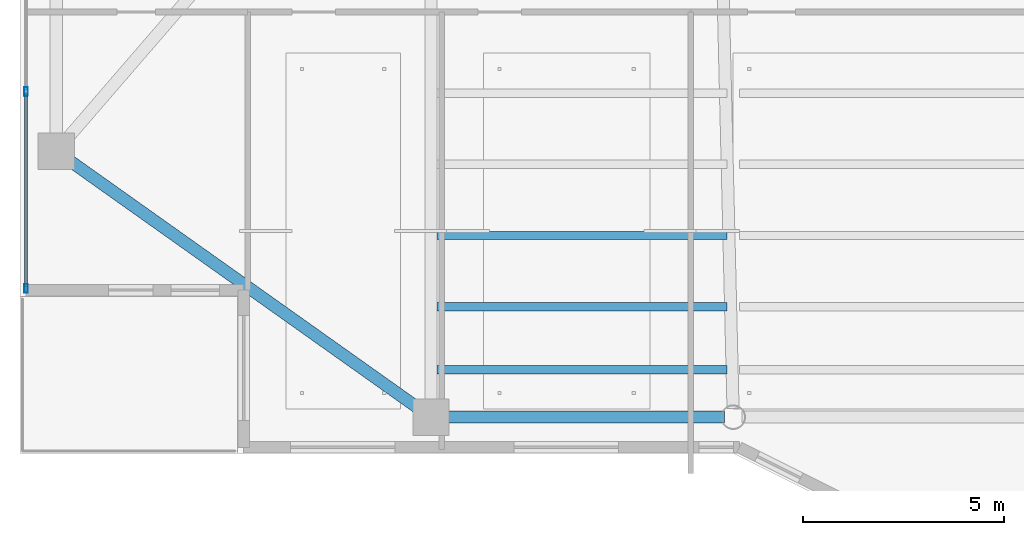
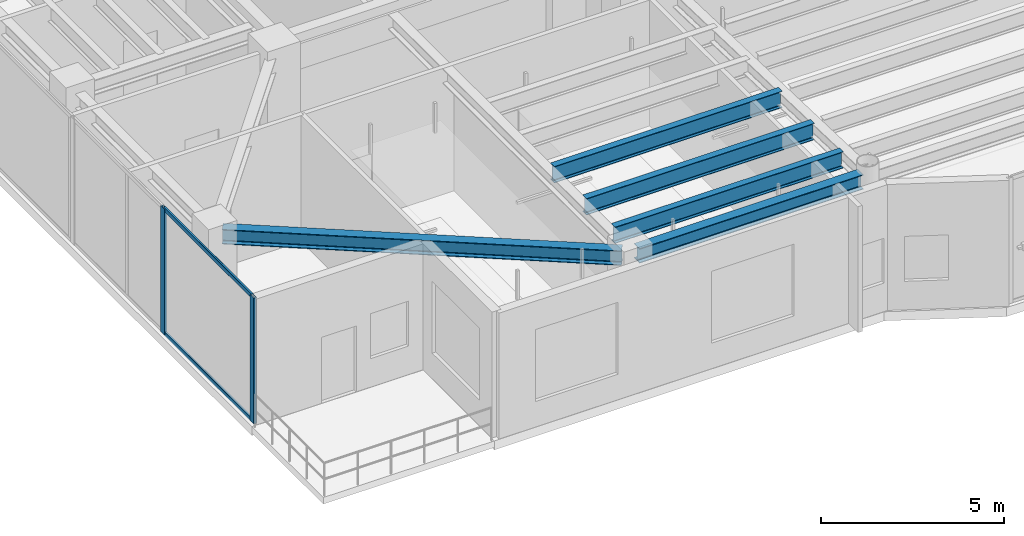
# One storey, part 2 of 33: 5 beams, 4 members, 1 element without a shape of its own.
"""IFC4 building model written with IfcOpenShell, lengths in metres."""

from ifc_helpers import new_model, si_unit, direction, frame, origin, origin_2d, place, context, subcontext, project, spatial, hollow_rectangle, i_section, extrude, material, layer, layer_set, material_profile, profile_set, type_object, element, aggregate, save


model = new_model("IFC4")

# Units and contexts
model_context = context("Model", 3, precision=1e-05, world=origin(), true_north=direction((0.0, 1.0)))
body_context = subcontext(model_context, "Body", "Model", "MODEL_VIEW")
ifc_project = project(units=[si_unit("LENGTHUNIT", "METRE"), si_unit("AREAUNIT", "SQUARE_METRE"), si_unit("VOLUMEUNIT", "CUBIC_METRE"), si_unit("PLANEANGLEUNIT", "RADIAN"), si_unit("MASSUNIT", "GRAM", prefix="KILO")], contexts=[model_context])

# Site, building, storey
site_placement = place(None, origin())
site = spatial("IfcSite", under=ifc_project, at=site_placement, CompositionType="ELEMENT")
building_placement = place(site_placement, origin())
building = spatial("IfcBuilding", under=site, at=building_placement, Name="Tarnavaz Court Tower", CompositionType="ELEMENT")
storey_placement = place(building_placement, frame((0.0, 0.0, 172.800048828125)))
storey = spatial("IfcBuildingStorey", under=building, at=storey_placement, Name="L47", CompositionType="ELEMENT", Elevation=172.800048828125)

# Beams
ifc_material_1 = material(Name="Steel S355", Category="steel")
ifc_material_profile_1 = material_profile(ifc_material_1, i_section(OverallWidth=0.2099609375, OverallDepth=0.550048828125, WebThickness=0.010986328125, FlangeThickness=0.01708984375, FilletRadius=0.02392578125, at=origin_2d()), Name="IPE 550")
ifc_profile_set_1 = profile_set([ifc_material_profile_1], Name="Steel S355")
beam_type_1 = type_object("IfcBeamType", Name="BM-J-IPE550", PredefinedType="JOIST", material=ifc_profile_set_1)
for number, where, z_axis, x_axis, name in (
    (1, (-14.85009765625, -15.89208984375, 3.925048828125), (1.0, 0.0, 0.0), (0.0, 1.0, 0.0), "L47 Beam JS3-1"),
    (2, (-14.85009765625, -17.656005859375, 3.925048828125), (1.0, 0.0, 0.0), (0.0, 1.0, 0.0), "L47 Beam JS4-1"),
    (3, (-14.85009765625, -19.22412109375, 3.925048828125), (1.0, 0.0, 0.0), (0.0, 1.0, 0.0), "L47 Beam JS5-1"),
):
    element("IfcBeam", number, at=place(storey_placement, frame(where, z_axis=z_axis, x_axis=x_axis)), inside=storey, type_object=beam_type_1, Name=name, PredefinedType="JOIST", context=body_context, shape_type="SweptSolid", body=[
        extrude(i_section(OverallWidth=0.2099609375, OverallDepth=0.550048828125, WebThickness=0.010986328125, FlangeThickness=0.01708984375, FilletRadius=0.02392578125, at=origin_2d()), origin(), (0.0, 0.0, 1.0), 7.2001953125),
    ])
ifc_material_profile_2 = material_profile(ifc_material_1, i_section(OverallWidth=0.300048828125, OverallDepth=0.489990234375, WebThickness=0.011962890625, FlangeThickness=0.02294921875, FilletRadius=0.027099609375, at=origin_2d()), Name="HEA 500")
ifc_profile_set_2 = profile_set([ifc_material_profile_2], Name="Steel S355")
beam_type_2 = type_object("IfcBeamType", Name="BM-SP-HEA500", PredefinedType="SPANDREL", material=ifc_profile_set_2)
beam_1_placement = place(storey_placement, frame((-14.780029296875, -20.39990234375, 3.954833984375), z_axis=(1.0, 0.0, 0.0), x_axis=(0.0, 1.0, 0.0)))
element("IfcBeam", 4, at=beam_1_placement, inside=storey, type_object=beam_type_2, Name="L47 Beam PR-PS-1-PS-2", PredefinedType="SPANDREL", context=body_context, shape_type="SweptSolid", body=[
    extrude(i_section(OverallWidth=0.300048828125, OverallDepth=0.489990234375, WebThickness=0.011962890625, FlangeThickness=0.02294921875, FilletRadius=0.027099609375, at=origin_2d()), origin(), (0.0, 0.0, 1.0), 7.06005859375),
])
beam_2_placement = place(storey_placement, frame((-15.179443359375, -20.272705078125, 3.954833984375), z_axis=(-0.815502059396, 0.57875417158, 0.0), x_axis=(-0.57875417158, -0.815502059396, 0.0)))
element("IfcBeam", 5, at=beam_2_placement, inside=storey, type_object=beam_type_2, Name="L47 Beam PR-PS-1-PW-1", PredefinedType="SPANDREL", context=body_context, shape_type="SweptSolid", body=[
    extrude(i_section(OverallWidth=0.300048828125, OverallDepth=0.489990234375, WebThickness=0.011962890625, FlangeThickness=0.02294921875, FilletRadius=0.027099609375, at=origin_2d()), origin(), (0.0, 0.0, 1.0), 10.964111328125),
])

# Curtain wall, members
ifc_material_2 = material(Name="Anodised Aluminium 6063-T6 and Solar Low-E Glazing", Category="aluminium")
ifc_layer = layer(ifc_material_2, 0.199951171875)
ifc_layer_set = layer_set([ifc_layer], Name="Anodised Aluminium 6063-T6 and Solar Low-E Glazing")
curtain_wall_type = type_object("IfcCurtainWallType", Name="CW-SYS-05", PredefinedType="NOTDEFINED", material=ifc_layer_set)
curtain_wall_placement = place(storey_placement, origin())
curtain_wall = element("IfcCurtainWall", 6, at=curtain_wall_placement, inside=storey, type_object=curtain_wall_type, Name="L47 Sky-Portal Curtain Wall 2", PredefinedType="NOTDEFINED")
ifc_material_3 = material(Name="Anodised Aluminium 6063-T6", Category="aluminium")
ifc_material_profile_3 = material_profile(ifc_material_3, hollow_rectangle(XDim=0.0849609375, YDim=0.219970703125, WallThickness=0.006103515625, InnerFilletRadius=0.006103515625, OuterFilletRadius=0.011962890625, at=origin_2d()), Name="ALU RHS 220X85X6")
ifc_profile_set_3 = profile_set([ifc_material_profile_3], Name="Anodised Aluminium 6063-T6")
member_type_1 = type_object("IfcMemberType", Name="CW-MUL-220", PredefinedType="MULLION", material=ifc_profile_set_3)
member_1_placement = place(storey_placement, frame((-25.050048828125, -17.20751953125, 0.0), z_axis=(0.0, 0.0, 1.0), x_axis=(-1.0, 0.0, 0.0)))
member_1 = element("IfcMember", 7, at=member_1_placement, type_object=member_type_1, Name="CW mullion 1", PredefinedType="MULLION", context=body_context, shape_type="SweptSolid", body=[
    extrude(hollow_rectangle(XDim=0.0849609375, YDim=0.219970703125, WallThickness=0.006103515625, InnerFilletRadius=0.006103515625, OuterFilletRadius=0.011962890625, at=origin_2d()), origin(), (0.0, 0.0, 1.0), 4.199951171875),
])
member_2_placement = place(storey_placement, frame((-25.050048828125, -12.321533203125, 0.0), z_axis=(0.0, 0.0, 1.0), x_axis=(-1.0, 0.0, 0.0)))
member_2 = element("IfcMember", 8, at=member_2_placement, type_object=member_type_1, Name="CW mullion 2", PredefinedType="MULLION", context=body_context, shape_type="SweptSolid", body=[
    extrude(hollow_rectangle(XDim=0.0849609375, YDim=0.219970703125, WallThickness=0.006103515625, InnerFilletRadius=0.006103515625, OuterFilletRadius=0.011962890625, at=origin_2d()), origin(), (0.0, 0.0, 1.0), 4.199951171875),
])
ifc_material_profile_4 = material_profile(ifc_material_3, hollow_rectangle(XDim=0.06494140625, YDim=0.139892578125, WallThickness=0.00390625, InnerFilletRadius=0.00390625, OuterFilletRadius=0.008056640625, at=origin_2d()), Name="ALU RHS 140X65X4")
ifc_profile_set_4 = profile_set([ifc_material_profile_4], Name="Anodised Aluminium 6063-T6")
member_type_2 = type_object("IfcMemberType", Name="CW-TRN-140", PredefinedType="USERDEFINED", material=ifc_profile_set_4)
member_3_placement = place(storey_placement, frame((-25.050048828125, -17.1650390625, 0.032470703125), z_axis=(0.0, 1.0, 0.0), x_axis=(-1.0, 0.0, 0.0)))
member_3 = element("IfcMember", 9, at=member_3_placement, type_object=member_type_2, Name="CW transom 1.1", ObjectType="TRANSOM", PredefinedType="USERDEFINED", context=body_context, shape_type="SweptSolid", body=[
    extrude(hollow_rectangle(XDim=0.06494140625, YDim=0.139892578125, WallThickness=0.00390625, InnerFilletRadius=0.00390625, OuterFilletRadius=0.008056640625, at=origin_2d()), origin(), (0.0, 0.0, 1.0), 4.801025390625),
])
member_4_placement = place(storey_placement, frame((-25.050048828125, -17.1650390625, 4.16748046875), z_axis=(0.0, 1.0, 0.0), x_axis=(-1.0, 0.0, 0.0)))
member_4 = element("IfcMember", 10, at=member_4_placement, type_object=member_type_2, Name="CW transom 1.2", ObjectType="TRANSOM", PredefinedType="USERDEFINED", context=body_context, shape_type="SweptSolid", body=[
    extrude(hollow_rectangle(XDim=0.06494140625, YDim=0.139892578125, WallThickness=0.00390625, InnerFilletRadius=0.00390625, OuterFilletRadius=0.008056640625, at=origin_2d()), origin(), (0.0, 0.0, 1.0), 4.801025390625),
])
aggregate(curtain_wall, [member_1, member_2, member_3, member_4])

save(model, "model.ifc")
